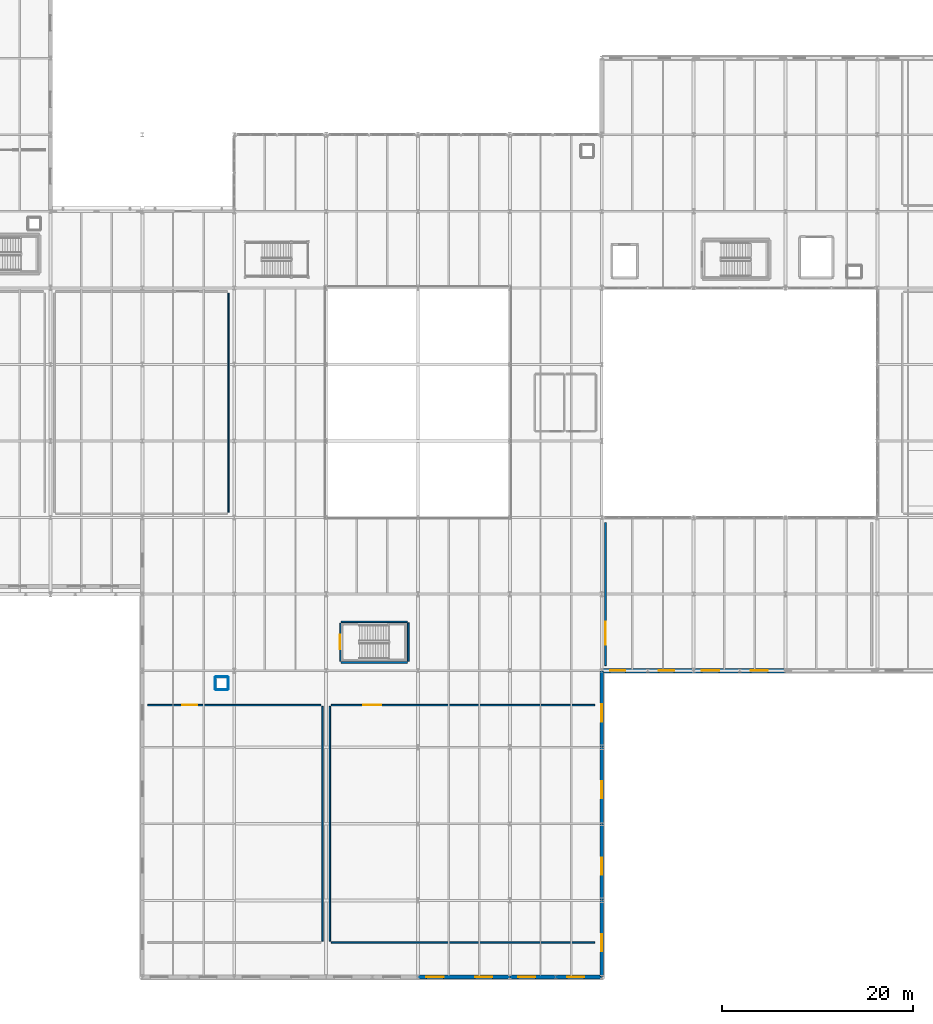
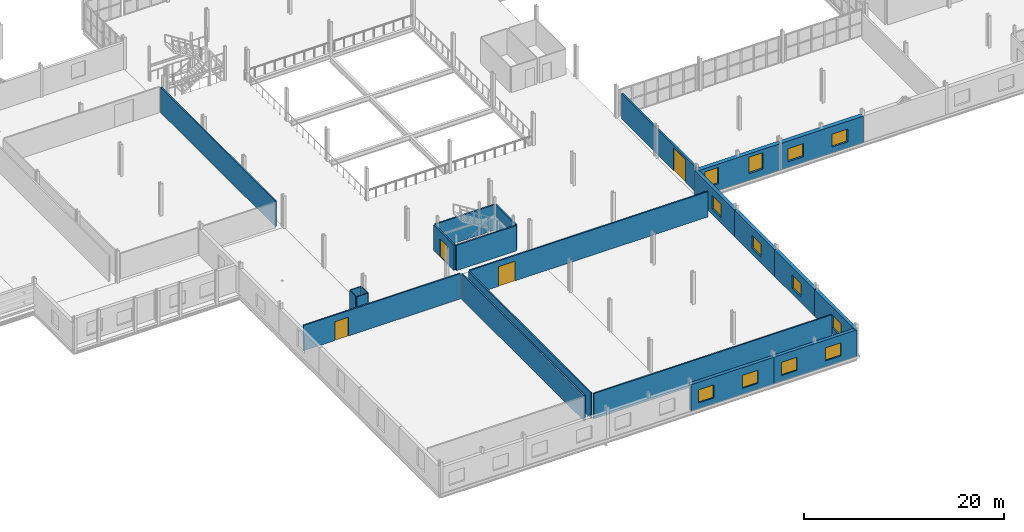
# One storey, part 60 of 78: 23 walls, 12 windows, 4 doors, 16 openings.
"""IFC4 building model written with IfcOpenShell, lengths in metres."""

from ifc_helpers import new_model, si_unit, direction, frame, frame_2d, origin, place, context, subcontext, project, spatial, rectangle, extrude, material, layer, layer_set, type_object, element, fill, save


model = new_model("IFC4")

# Units and contexts
model_context = context("Model", 3, precision=1e-05, world=origin(), true_north=direction((0.0, 1.0)))
body_context = subcontext(model_context, "Body", "Model", "MODEL_VIEW")
ifc_project = project(units=[si_unit("LENGTHUNIT", "METRE"), si_unit("AREAUNIT", "SQUARE_METRE"), si_unit("VOLUMEUNIT", "CUBIC_METRE"), si_unit("PLANEANGLEUNIT", "RADIAN"), si_unit("MASSUNIT", "GRAM", prefix="KILO")], contexts=[model_context])

# Site, building, storey
site_placement = place(None, origin())
site = spatial("IfcSite", under=ifc_project, at=site_placement, CompositionType="ELEMENT")
building_placement = place(site_placement, origin())
building = spatial("IfcBuilding", under=site, at=building_placement, Name="Alderhovde Museum", CompositionType="ELEMENT")
storey_placement = place(building_placement, frame((0.0, 0.0, 4.5)))
storey = spatial("IfcBuildingStorey", under=building, at=storey_placement, Name="L01", CompositionType="ELEMENT", Elevation=4.5)

# Wall, openings, windows
ifc_material_1 = material(Name="Nordic Granite Ashlar on Concrete C35/45", Category="masonry")
ifc_layer_1 = layer(ifc_material_1, 0.47998046875)
ifc_layer_set_1 = layer_set([ifc_layer_1], Name="Nordic Granite Ashlar on Concrete C35/45")
wall_type_1 = type_object("IfcWallType", Name="EW-GRAN-480", PredefinedType="SOLIDWALL", material=ifc_layer_set_1)
wall_1_placement = place(storey_placement, frame((115.219970703125, 32.0, 0.0), z_axis=(0.0, 0.0, 1.0), x_axis=(1.0, 0.0, 0.0)))
wall_1 = element("IfcWall", 1, at=wall_1_placement, inside=storey, type_object=wall_type_1, Name="L01 Conservation South Beaux-Arts Wall 194", PredefinedType="SOLIDWALL", context=body_context, shape_type="SweptSolid", body=[
    extrude(rectangle(XDim=9.56005859375, YDim=0.47998046875, at=frame_2d((4.780029296875, 0.0))), origin(), (0.0, 0.0, 1.0), 3.260009765625),
])
opening_1_placement = place(wall_1_placement, frame((0.85009765625, 0.0, 0.85009765625)))
opening_1 = element("IfcOpeningElement", 2, at=opening_1_placement, cuts=wall_1, Name="Opening W17", PredefinedType="OPENING", context=body_context, shape_type="SweptSolid", body=[
    extrude(rectangle(XDim=1.60009765625, YDim=2.0, at=frame_2d((0.800048828125, 1.0))), frame((0.0, 0.25, 0.0), z_axis=(0.0, -1.0, 0.0), x_axis=(1.0, 0.0, 0.0)), (0.0, 0.0, 1.0), 0.5),
])
opening_2_placement = place(wall_1_placement, frame((5.949951171875, 0.0, 0.85009765625)))
opening_2 = element("IfcOpeningElement", 3, at=opening_2_placement, cuts=wall_1, Name="Opening W17", PredefinedType="OPENING", context=body_context, shape_type="SweptSolid", body=[
    extrude(rectangle(XDim=1.60009765625, YDim=2.0, at=frame_2d((0.800048828125, 1.0))), frame((0.0, 0.25, 0.0), z_axis=(0.0, -1.0, 0.0), x_axis=(1.0, 0.0, 0.0)), (0.0, 0.0, 1.0), 0.5),
])
ifc_material_2 = material(Name="Triple-Glazed Low-E Bronze-Anodised Aluminium", Category="aluminium")
window_type_1 = type_object("IfcWindowType", Name="WIN-LAB-1600x2000", PartitioningType="DOUBLE_PANEL_VERTICAL", PredefinedType="WINDOW", material=ifc_material_2)
window_1_placement = place(opening_1_placement, origin())
window_1 = element("IfcWindow", 4, at=window_1_placement, inside=storey, type_object=window_type_1, Name="L01 Facade Window 167", OverallHeight=2.0, OverallWidth=1.60009765625, PartitioningType="SINGLE_PANEL", PredefinedType="WINDOW", context=body_context, shape_type="SweptSolid", body=[
    extrude(rectangle(XDim=1.60009765625, YDim=2.0, at=frame_2d((0.800048828125, 1.0))), frame((0.0, 0.030029296875, 0.0), z_axis=(0.0, -1.0, 0.0), x_axis=(1.0, 0.0, 0.0)), (0.0, 0.0, 1.0), 0.06005859375),
])
fill(opening_1, window_1)
window_2_placement = place(opening_2_placement, origin())
window_2 = element("IfcWindow", 5, at=window_2_placement, inside=storey, type_object=window_type_1, Name="L01 Facade Window 168", OverallHeight=2.0, OverallWidth=1.60009765625, PartitioningType="SINGLE_PANEL", PredefinedType="WINDOW", context=body_context, shape_type="SweptSolid", body=[
    extrude(rectangle(XDim=1.60009765625, YDim=2.0, at=frame_2d((0.800048828125, 1.0))), frame((0.0, 0.030029296875, 0.0), z_axis=(0.0, -1.0, 0.0), x_axis=(1.0, 0.0, 0.0)), (0.0, 0.0, 1.0), 0.06005859375),
])
fill(opening_2, window_2)

wall_2_placement = place(storey_placement, frame((124.820068359375, 32.0, 0.0), z_axis=(0.0, 0.0, 1.0), x_axis=(1.0, 0.0, 0.0)))
wall_2 = element("IfcWall", 6, at=wall_2_placement, inside=storey, type_object=wall_type_1, Name="L01 Conservation South Beaux-Arts Wall 195", PredefinedType="SOLIDWALL", context=body_context, shape_type="SweptSolid", body=[
    extrude(rectangle(XDim=9.559814453125, YDim=0.47998046875, at=frame_2d((4.77978515625, 0.0))), origin(), (0.0, 0.0, 1.0), 3.260009765625),
])
opening_3_placement = place(wall_2_placement, frame((0.85009765625, 0.0, 0.719970703125)))
opening_3 = element("IfcOpeningElement", 7, at=opening_3_placement, cuts=wall_2, Name="Opening W13", PredefinedType="OPENING", context=body_context, shape_type="SweptSolid", body=[
    extrude(rectangle(XDim=1.800048828125, YDim=1.60009765625, at=frame_2d((0.89990234375, 0.800048828125))), frame((0.0, 0.25, 0.0), z_axis=(0.0, -1.0, 0.0), x_axis=(1.0, 0.0, 0.0)), (0.0, 0.0, 1.0), 0.5),
])
opening_4_placement = place(wall_2_placement, frame((5.949951171875, 0.0, 0.719970703125)))
opening_4 = element("IfcOpeningElement", 8, at=opening_4_placement, cuts=wall_2, Name="Opening W13", PredefinedType="OPENING", context=body_context, shape_type="SweptSolid", body=[
    extrude(rectangle(XDim=1.800048828125, YDim=1.60009765625, at=frame_2d((0.89990234375, 0.800048828125))), frame((0.0, 0.25, 0.0), z_axis=(0.0, -1.0, 0.0), x_axis=(1.0, 0.0, 0.0)), (0.0, 0.0, 1.0), 0.5),
])
ifc_material_3 = material(Name="Triple-Glazed Low-E Bronze-Anodised Aluminium", Category="aluminium")
window_type_2 = type_object("IfcWindowType", Name="WIN-ATT-1800x1600", PartitioningType="DOUBLE_PANEL_VERTICAL", PredefinedType="WINDOW", material=ifc_material_3)
window_3_placement = place(opening_3_placement, origin())
window_3 = element("IfcWindow", 9, at=window_3_placement, inside=storey, type_object=window_type_2, Name="L01 Facade Window 169", OverallHeight=1.60009765625, OverallWidth=1.800048828125, PartitioningType="SINGLE_PANEL", PredefinedType="WINDOW", context=body_context, shape_type="SweptSolid", body=[
    extrude(rectangle(XDim=1.800048828125, YDim=1.60009765625, at=frame_2d((0.89990234375, 0.800048828125))), frame((0.0, 0.030029296875, 0.0), z_axis=(0.0, -1.0, 0.0), x_axis=(1.0, 0.0, 0.0)), (0.0, 0.0, 1.0), 0.06005859375),
])
fill(opening_3, window_3)
window_4_placement = place(opening_4_placement, origin())
window_4 = element("IfcWindow", 10, at=window_4_placement, inside=storey, type_object=window_type_2, Name="L01 Facade Window 170", OverallHeight=1.60009765625, OverallWidth=1.800048828125, PartitioningType="SINGLE_PANEL", PredefinedType="WINDOW", context=body_context, shape_type="SweptSolid", body=[
    extrude(rectangle(XDim=1.800048828125, YDim=1.60009765625, at=frame_2d((0.89990234375, 0.800048828125))), frame((0.0, 0.030029296875, 0.0), z_axis=(0.0, -1.0, 0.0), x_axis=(1.0, 0.0, 0.0)), (0.0, 0.0, 1.0), 0.06005859375),
])
fill(opening_4, window_4)

ifc_material_4 = material(Name="Fluted Jura Limestone Beaux-Arts Wall", Category="masonry")
ifc_layer_2 = layer(ifc_material_4, 0.3798828125)
ifc_layer_set_2 = layer_set([ifc_layer_2], Name="Fluted Jura Limestone Beaux-Arts Wall")
wall_type_2 = type_object("IfcWallType", Name="EW-LIME-380", PredefinedType="SOLIDWALL", material=ifc_layer_set_2)
wall_3_placement = place(storey_placement, frame((96.02001953125, 0.0, 0.0), z_axis=(0.0, 0.0, 1.0), x_axis=(1.0, 0.0, 0.0)))
wall_3 = element("IfcWall", 11, at=wall_3_placement, inside=storey, type_object=wall_type_2, Name="L01 Auditorium South Beaux-Arts Wall 101", PredefinedType="SOLIDWALL", context=body_context, shape_type="SweptSolid", body=[
    extrude(rectangle(XDim=9.56005859375, YDim=0.3798828125, at=frame_2d((4.780029296875, 0.0))), origin(), (0.0, 0.0, 1.0), 3.260009765625),
])
opening_5_placement = place(wall_3_placement, frame((0.85009765625, 0.0, 0.719970703125)))
opening_5 = element("IfcOpeningElement", 12, at=opening_5_placement, cuts=wall_3, Name="Opening W13", PredefinedType="OPENING", context=body_context, shape_type="SweptSolid", body=[
    extrude(rectangle(XDim=1.800048828125, YDim=1.60009765625, at=frame_2d((0.89990234375, 0.800048828125))), frame((0.0, 0.199951171875, 0.0), z_axis=(0.0, -1.0, 0.0), x_axis=(1.0, 0.0, 0.0)), (0.0, 0.0, 1.0), 0.39990234375),
])
opening_6_placement = place(wall_3_placement, frame((5.949951171875, 0.0, 0.719970703125)))
opening_6 = element("IfcOpeningElement", 13, at=opening_6_placement, cuts=wall_3, Name="Opening W13", PredefinedType="OPENING", context=body_context, shape_type="SweptSolid", body=[
    extrude(rectangle(XDim=1.800048828125, YDim=1.60009765625, at=frame_2d((0.89990234375, 0.800048828125))), frame((0.0, 0.199951171875, 0.0), z_axis=(0.0, -1.0, 0.0), x_axis=(1.0, 0.0, 0.0)), (0.0, 0.0, 1.0), 0.39990234375),
])
window_5_placement = place(opening_5_placement, origin())
window_5 = element("IfcWindow", 14, at=window_5_placement, inside=storey, type_object=window_type_2, Name="L01 Facade Window 75", OverallHeight=1.60009765625, OverallWidth=1.800048828125, PartitioningType="SINGLE_PANEL", PredefinedType="WINDOW", context=body_context, shape_type="SweptSolid", body=[
    extrude(rectangle(XDim=1.800048828125, YDim=1.60009765625, at=frame_2d((0.89990234375, 0.800048828125))), frame((0.0, 0.030029296875, 0.0), z_axis=(0.0, -1.0, 0.0), x_axis=(1.0, 0.0, 0.0)), (0.0, 0.0, 1.0), 0.06005859375),
])
fill(opening_5, window_5)
window_6_placement = place(opening_6_placement, origin())
window_6 = element("IfcWindow", 15, at=window_6_placement, inside=storey, type_object=window_type_2, Name="L01 Facade Window 76", OverallHeight=1.60009765625, OverallWidth=1.800048828125, PartitioningType="SINGLE_PANEL", PredefinedType="WINDOW", context=body_context, shape_type="SweptSolid", body=[
    extrude(rectangle(XDim=1.800048828125, YDim=1.60009765625, at=frame_2d((0.89990234375, 0.800048828125))), frame((0.0, 0.030029296875, 0.0), z_axis=(0.0, -1.0, 0.0), x_axis=(1.0, 0.0, 0.0)), (0.0, 0.0, 1.0), 0.06005859375),
])
fill(opening_6, window_6)

wall_4_placement = place(storey_placement, frame((105.6201171875, 0.0, 0.0), z_axis=(0.0, 0.0, 1.0), x_axis=(1.0, 0.0, 0.0)))
wall_4 = element("IfcWall", 16, at=wall_4_placement, inside=storey, type_object=wall_type_2, Name="L01 Auditorium South Beaux-Arts Wall 102", PredefinedType="SOLIDWALL", context=body_context, shape_type="SweptSolid", body=[
    extrude(rectangle(XDim=9.559814453125, YDim=0.3798828125, at=frame_2d((4.77978515625, 0.0))), origin(), (0.0, 0.0, 1.0), 3.260009765625),
])
opening_7_placement = place(wall_4_placement, frame((0.85009765625, 0.0, 0.719970703125)))
opening_7 = element("IfcOpeningElement", 17, at=opening_7_placement, cuts=wall_4, Name="Opening W13", PredefinedType="OPENING", context=body_context, shape_type="SweptSolid", body=[
    extrude(rectangle(XDim=1.800048828125, YDim=1.60009765625, at=frame_2d((0.89990234375, 0.800048828125))), frame((0.0, 0.199951171875, 0.0), z_axis=(0.0, -1.0, 0.0), x_axis=(1.0, 0.0, 0.0)), (0.0, 0.0, 1.0), 0.39990234375),
])
opening_8_placement = place(wall_4_placement, frame((5.949951171875, 0.0, 0.719970703125)))
opening_8 = element("IfcOpeningElement", 18, at=opening_8_placement, cuts=wall_4, Name="Opening W13", PredefinedType="OPENING", context=body_context, shape_type="SweptSolid", body=[
    extrude(rectangle(XDim=1.800048828125, YDim=1.60009765625, at=frame_2d((0.89990234375, 0.800048828125))), frame((0.0, 0.199951171875, 0.0), z_axis=(0.0, -1.0, 0.0), x_axis=(1.0, 0.0, 0.0)), (0.0, 0.0, 1.0), 0.39990234375),
])
window_7_placement = place(opening_7_placement, origin())
window_7 = element("IfcWindow", 19, at=window_7_placement, inside=storey, type_object=window_type_2, Name="L01 Facade Window 77", OverallHeight=1.60009765625, OverallWidth=1.800048828125, PartitioningType="SINGLE_PANEL", PredefinedType="WINDOW", context=body_context, shape_type="SweptSolid", body=[
    extrude(rectangle(XDim=1.800048828125, YDim=1.60009765625, at=frame_2d((0.89990234375, 0.800048828125))), frame((0.0, 0.030029296875, 0.0), z_axis=(0.0, -1.0, 0.0), x_axis=(1.0, 0.0, 0.0)), (0.0, 0.0, 1.0), 0.06005859375),
])
fill(opening_7, window_7)
window_8_placement = place(opening_8_placement, origin())
window_8 = element("IfcWindow", 20, at=window_8_placement, inside=storey, type_object=window_type_2, Name="L01 Facade Window 78", OverallHeight=1.60009765625, OverallWidth=1.800048828125, PartitioningType="SINGLE_PANEL", PredefinedType="WINDOW", context=body_context, shape_type="SweptSolid", body=[
    extrude(rectangle(XDim=1.800048828125, YDim=1.60009765625, at=frame_2d((0.89990234375, 0.800048828125))), frame((0.0, 0.030029296875, 0.0), z_axis=(0.0, -1.0, 0.0), x_axis=(1.0, 0.0, 0.0)), (0.0, 0.0, 1.0), 0.06005859375),
])
fill(opening_8, window_8)

# Wall, opening, window
wall_5_placement = place(storey_placement, frame((115.199951171875, 0.02001953125, 0.0), z_axis=(0.0, 0.0, 1.0), x_axis=(0.0, 1.0, 0.0)))
wall_5 = element("IfcWall", 21, at=wall_5_placement, inside=storey, type_object=wall_type_2, Name="L01 Auditorium East Granite Wall 104", PredefinedType="SOLIDWALL", context=body_context, shape_type="SweptSolid", body=[
    extrude(rectangle(XDim=7.9599609375, YDim=0.3798828125, at=frame_2d((3.97998046875, 0.0))), origin(), (0.0, 0.0, 1.0), 3.260009765625),
])
opening_9_placement = place(wall_5_placement, frame((2.64990234375, 0.0, 0.719970703125)))
opening_9 = element("IfcOpeningElement", 22, at=opening_9_placement, cuts=wall_5, Name="Opening W13", PredefinedType="OPENING", context=body_context, shape_type="SweptSolid", body=[
    extrude(rectangle(XDim=1.800048828125, YDim=1.60009765625, at=frame_2d((0.89990234375, 0.800048828125))), frame((0.0, 0.199951171875, 0.0), z_axis=(0.0, -1.0, 0.0), x_axis=(1.0, 0.0, 0.0)), (0.0, 0.0, 1.0), 0.39990234375),
])
window_9_placement = place(opening_9_placement, origin())
window_9 = element("IfcWindow", 23, at=window_9_placement, inside=storey, type_object=window_type_2, Name="L01 Facade Window 80", OverallHeight=1.60009765625, OverallWidth=1.800048828125, PartitioningType="SINGLE_PANEL", PredefinedType="WINDOW", context=body_context, shape_type="SweptSolid", body=[
    extrude(rectangle(XDim=1.800048828125, YDim=1.60009765625, at=frame_2d((0.89990234375, 0.800048828125))), frame((0.0, 0.030029296875, 0.0), z_axis=(0.0, -1.0, 0.0), x_axis=(1.0, 0.0, 0.0)), (0.0, 0.0, 1.0), 0.06005859375),
])
fill(opening_9, window_9)

wall_6_placement = place(storey_placement, frame((115.199951171875, 8.02001953125, 0.0), z_axis=(0.0, 0.0, 1.0), x_axis=(0.0, 1.0, 0.0)))
wall_6 = element("IfcWall", 24, at=wall_6_placement, inside=storey, type_object=wall_type_2, Name="L01 Auditorium East Granite Wall 106", PredefinedType="SOLIDWALL", context=body_context, shape_type="SweptSolid", body=[
    extrude(rectangle(XDim=7.9599609375, YDim=0.3798828125, at=frame_2d((3.97998046875, 0.0))), origin(), (0.0, 0.0, 1.0), 3.260009765625),
])
opening_10_placement = place(wall_6_placement, frame((2.64990234375, 0.0, 0.719970703125)))
opening_10 = element("IfcOpeningElement", 25, at=opening_10_placement, cuts=wall_6, Name="Opening W13", PredefinedType="OPENING", context=body_context, shape_type="SweptSolid", body=[
    extrude(rectangle(XDim=1.800048828125, YDim=1.60009765625, at=frame_2d((0.89990234375, 0.800048828125))), frame((0.0, 0.199951171875, 0.0), z_axis=(0.0, -1.0, 0.0), x_axis=(1.0, 0.0, 0.0)), (0.0, 0.0, 1.0), 0.39990234375),
])
window_10_placement = place(opening_10_placement, origin())
window_10 = element("IfcWindow", 26, at=window_10_placement, inside=storey, type_object=window_type_2, Name="L01 Facade Window 82", OverallHeight=1.60009765625, OverallWidth=1.800048828125, PartitioningType="SINGLE_PANEL", PredefinedType="WINDOW", context=body_context, shape_type="SweptSolid", body=[
    extrude(rectangle(XDim=1.800048828125, YDim=1.60009765625, at=frame_2d((0.89990234375, 0.800048828125))), frame((0.0, 0.030029296875, 0.0), z_axis=(0.0, -1.0, 0.0), x_axis=(1.0, 0.0, 0.0)), (0.0, 0.0, 1.0), 0.06005859375),
])
fill(opening_10, window_10)

wall_7_placement = place(storey_placement, frame((115.199951171875, 16.02001953125, 0.0), z_axis=(0.0, 0.0, 1.0), x_axis=(0.0, 1.0, 0.0)))
wall_7 = element("IfcWall", 27, at=wall_7_placement, inside=storey, type_object=wall_type_2, Name="L01 Auditorium East Granite Wall 108", PredefinedType="SOLIDWALL", context=body_context, shape_type="SweptSolid", body=[
    extrude(rectangle(XDim=7.9599609375, YDim=0.3798828125, at=frame_2d((3.97998046875, 0.0))), origin(), (0.0, 0.0, 1.0), 3.260009765625),
])
opening_11_placement = place(wall_7_placement, frame((2.64990234375, 0.0, 0.719970703125)))
opening_11 = element("IfcOpeningElement", 28, at=opening_11_placement, cuts=wall_7, Name="Opening W13", PredefinedType="OPENING", context=body_context, shape_type="SweptSolid", body=[
    extrude(rectangle(XDim=1.800048828125, YDim=1.60009765625, at=frame_2d((0.89990234375, 0.800048828125))), frame((0.0, 0.199951171875, 0.0), z_axis=(0.0, -1.0, 0.0), x_axis=(1.0, 0.0, 0.0)), (0.0, 0.0, 1.0), 0.39990234375),
])
window_11_placement = place(opening_11_placement, origin())
window_11 = element("IfcWindow", 29, at=window_11_placement, inside=storey, type_object=window_type_2, Name="L01 Facade Window 84", OverallHeight=1.60009765625, OverallWidth=1.800048828125, PartitioningType="SINGLE_PANEL", PredefinedType="WINDOW", context=body_context, shape_type="SweptSolid", body=[
    extrude(rectangle(XDim=1.800048828125, YDim=1.60009765625, at=frame_2d((0.89990234375, 0.800048828125))), frame((0.0, 0.030029296875, 0.0), z_axis=(0.0, -1.0, 0.0), x_axis=(1.0, 0.0, 0.0)), (0.0, 0.0, 1.0), 0.06005859375),
])
fill(opening_11, window_11)

wall_8_placement = place(storey_placement, frame((115.199951171875, 24.02001953125, 0.0), z_axis=(0.0, 0.0, 1.0), x_axis=(0.0, 1.0, 0.0)))
wall_8 = element("IfcWall", 30, at=wall_8_placement, inside=storey, type_object=wall_type_2, Name="L01 Auditorium East Granite Wall 110", PredefinedType="SOLIDWALL", context=body_context, shape_type="SweptSolid", body=[
    extrude(rectangle(XDim=7.9599609375, YDim=0.3798828125, at=frame_2d((3.97998046875, 0.0))), origin(), (0.0, 0.0, 1.0), 3.260009765625),
])
opening_12_placement = place(wall_8_placement, frame((2.64990234375, 0.0, 0.719970703125)))
opening_12 = element("IfcOpeningElement", 31, at=opening_12_placement, cuts=wall_8, Name="Opening W13", PredefinedType="OPENING", context=body_context, shape_type="SweptSolid", body=[
    extrude(rectangle(XDim=1.800048828125, YDim=1.60009765625, at=frame_2d((0.89990234375, 0.800048828125))), frame((0.0, 0.199951171875, 0.0), z_axis=(0.0, -1.0, 0.0), x_axis=(1.0, 0.0, 0.0)), (0.0, 0.0, 1.0), 0.39990234375),
])
window_12_placement = place(opening_12_placement, origin())
window_12 = element("IfcWindow", 32, at=window_12_placement, inside=storey, type_object=window_type_2, Name="L01 Facade Window 86", OverallHeight=1.60009765625, OverallWidth=1.800048828125, PartitioningType="SINGLE_PANEL", PredefinedType="WINDOW", context=body_context, shape_type="SweptSolid", body=[
    extrude(rectangle(XDim=1.800048828125, YDim=1.60009765625, at=frame_2d((0.89990234375, 0.800048828125))), frame((0.0, 0.030029296875, 0.0), z_axis=(0.0, -1.0, 0.0), x_axis=(1.0, 0.0, 0.0)), (0.0, 0.0, 1.0), 0.06005859375),
])
fill(opening_12, window_12)

# Wall, opening, door
ifc_material_5 = material(Name="Double-Stud Acoustic Auditorium Partition")
ifc_layer_3 = layer(ifc_material_5, 0.159912109375)
ifc_layer_set_3 = layer_set([ifc_layer_3], Name="Double-Stud Acoustic Auditorium Partition")
wall_type_3 = type_object("IfcWallType", Name="IW-ACOU-160", PredefinedType="PARTITIONING", material=ifc_layer_set_3)
wall_9_placement = place(storey_placement, frame((86.93994140625, 28.39990234375, 0.0), z_axis=(0.0, 0.0, 1.0), x_axis=(1.0, 0.0, 0.0)))
wall_9 = element("IfcWall", 33, at=wall_9_placement, inside=storey, type_object=wall_type_3, Name="L01 Auditorium Upper Tier Partition Wall N", PredefinedType="PARTITIONING", context=body_context, shape_type="SweptSolid", body=[
    extrude(rectangle(XDim=27.52001953125, YDim=0.159912109375, at=frame_2d((13.760009765625, 0.0))), origin(), (0.0, 0.0, 1.0), 3.10009765625),
])
opening_13_placement = place(wall_9_placement, frame((3.330078125, 0.0, 0.0)))
opening_13 = element("IfcOpeningElement", 34, at=opening_13_placement, cuts=wall_9, Name="Opening D04", PredefinedType="OPENING", context=body_context, shape_type="SweptSolid", body=[
    extrude(rectangle(XDim=1.89990234375, YDim=2.39990234375, at=frame_2d((0.949951171875, 1.199951171875))), frame((0.0, 0.090087890625, 0.0), z_axis=(0.0, -1.0, 0.0), x_axis=(1.0, 0.0, 0.0)), (0.0, 0.0, 1.0), 0.179931640625),
])
ifc_material_6 = material(Name="Acoustic Auditorium Double Door (Steel/Oak)", Category="steel")
door_type_1 = type_object("IfcDoorType", Name="ID-AUD-1900x2400", OperationType="NOTDEFINED", PredefinedType="DOOR", material=ifc_material_6)
door_1_placement = place(opening_13_placement, origin())
door_1 = element("IfcDoor", 35, at=door_1_placement, inside=storey, type_object=door_type_1, Name="L01 Auditorium Upper Tier Door", OperationType="DOUBLE_DOOR_SINGLE_SWING", OverallHeight=2.39990234375, OverallWidth=1.89990234375, PredefinedType="DOOR", context=body_context, shape_type="SweptSolid", body=[
    extrude(rectangle(XDim=1.89990234375, YDim=2.39990234375, at=frame_2d((0.949951171875, 1.199951171875))), frame((0.0, 0.02490234375, 0.0), z_axis=(0.0, -1.0, 0.0), x_axis=(1.0, 0.0, 0.0)), (0.0, 0.0, 1.0), 0.050048828125),
])
fill(opening_13, door_1)

# Walls
wall_10_placement = place(storey_placement, frame((86.93994140625, 3.60009765625, 0.0), z_axis=(0.0, 0.0, 1.0), x_axis=(1.0, 0.0, 0.0)))
element("IfcWall", 36, at=wall_10_placement, inside=storey, type_object=wall_type_3, Name="L01 Auditorium Upper Tier Partition Wall S", PredefinedType="PARTITIONING", context=body_context, shape_type="SweptSolid", body=[
    extrude(rectangle(XDim=27.52001953125, YDim=0.159912109375, at=frame_2d((13.760009765625, 0.0))), origin(), (0.0, 0.0, 1.0), 3.10009765625),
])
wall_11_placement = place(storey_placement, frame((86.800048828125, 3.739990234375, 0.0), z_axis=(0.0, 0.0, 1.0), x_axis=(0.0, 1.0, 0.0)))
element("IfcWall", 37, at=wall_11_placement, inside=storey, type_object=wall_type_3, Name="L01 Auditorium Upper Tier Partition Wall W", PredefinedType="PARTITIONING", context=body_context, shape_type="SweptSolid", body=[
    extrude(rectangle(XDim=24.52001953125, YDim=0.159912109375, at=frame_2d((12.260009765625, 0.0))), origin(), (0.0, 0.0, 1.0), 3.10009765625),
])

# Wall, opening, door
wall_12_placement = place(storey_placement, frame((67.739990234375, 28.39990234375, 0.0), z_axis=(0.0, 0.0, 1.0), x_axis=(1.0, 0.0, 0.0)))
wall_12 = element("IfcWall", 38, at=wall_12_placement, inside=storey, type_object=wall_type_3, Name="L01 Acoustic Projection and Seminar Room Partition Wall N", PredefinedType="PARTITIONING", context=body_context, shape_type="SweptSolid", body=[
    extrude(rectangle(XDim=18.1201171875, YDim=0.159912109375, at=frame_2d((9.06005859375, 0.0))), origin(), (0.0, 0.0, 1.0), 3.10009765625),
])
opening_14_placement = place(wall_12_placement, frame((3.6259765625, 0.0, 0.0)))
opening_14 = element("IfcOpeningElement", 39, at=opening_14_placement, cuts=wall_12, Name="Opening D14", PredefinedType="OPENING", context=body_context, shape_type="SweptSolid", body=[
    extrude(rectangle(XDim=1.550048828125, YDim=2.300048828125, at=frame_2d((0.77490234375, 1.14990234375))), frame((0.0, 0.090087890625, 0.0), z_axis=(0.0, -1.0, 0.0), x_axis=(1.0, 0.0, 0.0)), (0.0, 0.0, 1.0), 0.179931640625),
])
ifc_material_7 = material(Name="Seminar Suite Double Door (Steel/Oak)", Category="steel")
door_type_2 = type_object("IfcDoorType", Name="ID-SEM-1550x2300", OperationType="NOTDEFINED", PredefinedType="DOOR", material=ifc_material_7)
door_2_placement = place(opening_14_placement, origin())
door_2 = element("IfcDoor", 40, at=door_2_placement, inside=storey, type_object=door_type_2, Name="L01 Acoustic Projection and Seminar Room Door", OperationType="SINGLE_SWING_LEFT", OverallHeight=2.300048828125, OverallWidth=1.550048828125, PredefinedType="DOOR", context=body_context, shape_type="SweptSolid", body=[
    extrude(rectangle(XDim=1.550048828125, YDim=2.300048828125, at=frame_2d((0.77490234375, 1.14990234375))), frame((0.0, 0.02490234375, 0.0), z_axis=(0.0, -1.0, 0.0), x_axis=(1.0, 0.0, 0.0)), (0.0, 0.0, 1.0), 0.050048828125),
])
fill(opening_14, door_2)

# Wall
wall_13_placement = place(storey_placement, frame((86.0, 3.739990234375, 0.0), z_axis=(0.0, 0.0, 1.0), x_axis=(0.0, 1.0, 0.0)))
element("IfcWall", 41, at=wall_13_placement, inside=storey, type_object=wall_type_3, Name="L01 Acoustic Projection and Seminar Room Partition Wall E", PredefinedType="PARTITIONING", context=body_context, shape_type="SweptSolid", body=[
    extrude(rectangle(XDim=24.52001953125, YDim=0.159912109375, at=frame_2d((12.260009765625, 0.0))), origin(), (0.0, 0.0, 1.0), 3.10009765625),
])

# Wall, opening, door
ifc_material_8 = material(Name="Fire-Resisting Twin-Stud Compartment Wall")
ifc_layer_4 = layer(ifc_material_8, 0.18994140625)
ifc_layer_set_4 = layer_set([ifc_layer_4], Name="Fire-Resisting Twin-Stud Compartment Wall")
wall_type_4 = type_object("IfcWallType", Name="IW-FIRE-190", PredefinedType="SOLIDWALL", material=ifc_layer_set_4)
wall_14_placement = place(storey_placement, frame((115.60009765625, 32.5400390625, 0.0), z_axis=(0.0, 0.0, 1.0), x_axis=(0.0, 1.0, 0.0)))
wall_14 = element("IfcWall", 42, at=wall_14_placement, inside=storey, type_object=wall_type_4, Name="L01 Artwork Unpacking and Crating Hall Partition Wall W", PredefinedType="SOLIDWALL", context=body_context, shape_type="SweptSolid", body=[
    extrude(rectangle(XDim=14.919921875, YDim=0.18994140625, at=frame_2d((7.4599609375, 0.0))), origin(), (0.0, 0.0, 1.0), 3.10009765625),
])
opening_15_placement = place(wall_14_placement, frame((2.14794921875, 0.0, 0.0)))
opening_15 = element("IfcOpeningElement", 43, at=opening_15_placement, cuts=wall_14, Name="Opening FD-5", PredefinedType="OPENING", context=body_context, shape_type="SweptSolid", body=[
    extrude(rectangle(XDim=2.39990234375, YDim=2.800048828125, at=frame_2d((1.199951171875, 1.39990234375))), frame((0.0, 0.10498046875, 0.0), z_axis=(0.0, -1.0, 0.0), x_axis=(1.0, 0.0, 0.0)), (0.0, 0.0, 1.0), 0.2099609375),
])
ifc_material_9 = material(Name="Fire-Rated Crating Airlock Double Door (Steel/Oak)", Category="steel")
door_type_3 = type_object("IfcDoorType", Name="FD-DOCK-2400x2800", OperationType="NOTDEFINED", PredefinedType="DOOR", material=ifc_material_9)
door_3_placement = place(opening_15_placement, origin())
door_3 = element("IfcDoor", 44, at=door_3_placement, inside=storey, type_object=door_type_3, Name="L01 Artwork Unpacking and Crating Hall Door", OperationType="DOUBLE_DOOR_SINGLE_SWING", OverallHeight=2.800048828125, OverallWidth=2.39990234375, PredefinedType="DOOR", context=body_context, shape_type="SweptSolid", body=[
    extrude(rectangle(XDim=2.39990234375, YDim=2.800048828125, at=frame_2d((1.199951171875, 1.39990234375))), frame((0.0, 0.02490234375, 0.0), z_axis=(0.0, -1.0, 0.0), x_axis=(1.0, 0.0, 0.0)), (0.0, 0.0, 1.0), 0.050048828125),
])
fill(opening_15, door_3)

# Walls
ifc_material_10 = material(Name="Plywood-Backed Gallery Display Partition", Category="wood")
ifc_layer_5 = layer(ifc_material_10, 0.14990234375)
ifc_layer_set_5 = layer_set([ifc_layer_5], Name="Plywood-Backed Gallery Display Partition")
wall_type_5 = type_object("IfcWallType", Name="IW-GAL-150", PredefinedType="PARTITIONING", material=ifc_layer_set_5)
wall_15_placement = place(storey_placement, frame((76.199951171875, 48.5400390625, 0.0), z_axis=(0.0, 0.0, 1.0), x_axis=(0.0, 1.0, 0.0)))
element("IfcWall", 45, at=wall_15_placement, inside=storey, type_object=wall_type_5, Name="L01 Maritime Heritage Room Partition Wall E", PredefinedType="PARTITIONING", context=body_context, shape_type="SweptSolid", body=[
    extrude(rectangle(XDim=22.919921875, YDim=0.14990234375, at=frame_2d((11.4599609375, 0.0))), origin(), (0.0, 0.0, 1.0), 3.10009765625),
])
ifc_material_11 = material(Name="Acoustic Service Riser Lining Wall")
ifc_layer_6 = layer(ifc_material_11, 0.10009765625)
ifc_layer_set_6 = layer_set([ifc_layer_6], Name="Acoustic Service Riser Lining Wall")
wall_type_6 = type_object("IfcWallType", Name="IW-LIN-100", PredefinedType="PARTITIONING", material=ifc_layer_set_6)
for number, where, z_axis, x_axis, name in (
    (46, (74.8798828125, 31.3798828125, 0.0), (0.0, 0.0, 1.0), (1.0, 0.0, 0.0), "L01 Service Riser RSR-V3 Shaft Wall N"),
    (47, (74.8798828125, 30.02001953125, 0.0), (0.0, 0.0, 1.0), (1.0, 0.0, 0.0), "L01 Service Riser RSR-V3 Shaft Wall S"),
):
    element("IfcWall", number, at=place(storey_placement, frame(where, z_axis=z_axis, x_axis=x_axis)), inside=storey, type_object=wall_type_6, Name=name, PredefinedType="PARTITIONING", context=body_context, shape_type="SweptSolid", body=[
        extrude(rectangle(XDim=1.240234375, YDim=0.10009765625, at=frame_2d((0.6201171875, 0.0))), origin(), (0.0, 0.0, 1.0), 3.10009765625),
    ])
for number, where, z_axis, x_axis, name in (
    (48, (74.820068359375, 30.080078125, 0.0), (0.0, 0.0, 1.0), (0.0, 1.0, 0.0), "L01 Service Riser RSR-V3 Shaft Wall W"),
    (49, (76.179931640625, 30.080078125, 0.0), (0.0, 0.0, 1.0), (0.0, 1.0, 0.0), "L01 Service Riser RSR-V3 Shaft Wall E"),
):
    element("IfcWall", number, at=place(storey_placement, frame(where, z_axis=z_axis, x_axis=x_axis)), inside=storey, type_object=wall_type_6, Name=name, PredefinedType="PARTITIONING", context=body_context, shape_type="SweptSolid", body=[
        extrude(rectangle(XDim=1.239990234375, YDim=0.10009765625, at=frame_2d((0.6201171875, 0.0))), origin(), (0.0, 0.0, 1.0), 3.10009765625),
    ])

# Wall, opening, door
ifc_material_12 = material(Name="Fire-Resisting Stair Lobby Wall")
ifc_layer_7 = layer(ifc_material_12, 0.169921875)
ifc_layer_set_7 = layer_set([ifc_layer_7], Name="Fire-Resisting Stair Lobby Wall")
wall_type_7 = type_object("IfcWallType", Name="IW-STAIR-170", PredefinedType="SOLIDWALL", material=ifc_layer_set_7)
wall_16_placement = place(storey_placement, frame((87.860107421875, 32.9599609375, 0.0), z_axis=(0.0, 0.0, 1.0), x_axis=(0.0, 1.0, 0.0)))
wall_16 = element("IfcWall", 50, at=wall_16_placement, inside=storey, type_object=wall_type_7, Name="L01 Escape Stair ST3 Fire Wall W", PredefinedType="SOLIDWALL", context=body_context, shape_type="SweptSolid", body=[
    extrude(rectangle(XDim=4.0400390625, YDim=0.169921875, at=frame_2d((2.02001953125, 0.0))), origin(), (0.0, 0.0, 1.0), 3.10009765625),
])
opening_16_placement = place(wall_16_placement, frame((1.27001953125, 0.0, 0.0)))
opening_16 = element("IfcOpeningElement", 51, at=opening_16_placement, cuts=wall_16, Name="Opening FD-1", PredefinedType="OPENING", context=body_context, shape_type="SweptSolid", body=[
    extrude(rectangle(XDim=1.5, YDim=2.199951171875, at=frame_2d((0.75, 1.10009765625))), frame((0.0, 0.094970703125, 0.0), z_axis=(0.0, -1.0, 0.0), x_axis=(1.0, 0.0, 0.0)), (0.0, 0.0, 1.0), 0.18994140625),
])
ifc_material_13 = material(Name="Fire-Rated Steel Stair Escape Door (Steel/Oak)", Category="steel")
door_type_4 = type_object("IfcDoorType", Name="FD-STAIR-1500x2200", OperationType="NOTDEFINED", PredefinedType="DOOR", material=ifc_material_13)
door_4_placement = place(opening_16_placement, origin())
door_4 = element("IfcDoor", 52, at=door_4_placement, inside=storey, type_object=door_type_4, Name="L01 Escape Stair ST3 Fire Door", OperationType="SINGLE_SWING_LEFT", OverallHeight=2.199951171875, OverallWidth=1.5, PredefinedType="DOOR", context=body_context, shape_type="SweptSolid", body=[
    extrude(rectangle(XDim=1.5, YDim=2.199951171875, at=frame_2d((0.75, 1.10009765625))), frame((0.0, 0.02490234375, 0.0), z_axis=(0.0, -1.0, 0.0), x_axis=(1.0, 0.0, 0.0)), (0.0, 0.0, 1.0), 0.050048828125),
])
fill(opening_16, door_4)

# Walls
wall_17_placement = place(storey_placement, frame((94.97998046875, 32.9599609375, 0.0), z_axis=(0.0, 0.0, 1.0), x_axis=(0.0, 1.0, 0.0)))
element("IfcWall", 53, at=wall_17_placement, inside=storey, type_object=wall_type_7, Name="L01 Escape Stair ST3 Fire Wall E", PredefinedType="SOLIDWALL", context=body_context, shape_type="SweptSolid", body=[
    extrude(rectangle(XDim=4.0400390625, YDim=0.169921875, at=frame_2d((2.02001953125, 0.0))), origin(), (0.0, 0.0, 1.0), 3.10009765625),
])
for number, where, z_axis, x_axis, name in (
    (54, (87.9599609375, 32.860107421875, 0.0), (0.0, 0.0, 1.0), (1.0, 0.0, 0.0), "L01 Escape Stair ST3 Fire Wall S"),
    (55, (87.9599609375, 37.10009765625, 0.0), (0.0, 0.0, 1.0), (1.0, 0.0, 0.0), "L01 Escape Stair ST3 Fire Wall N"),
):
    element("IfcWall", number, at=place(storey_placement, frame(where, z_axis=z_axis, x_axis=x_axis)), inside=storey, type_object=wall_type_7, Name=name, PredefinedType="SOLIDWALL", context=body_context, shape_type="SweptSolid", body=[
        extrude(rectangle(XDim=6.919921875, YDim=0.169921875, at=frame_2d((3.4599609375, 0.0))), origin(), (0.0, 0.0, 1.0), 3.10009765625),
    ])

save(model, "model.ifc")
